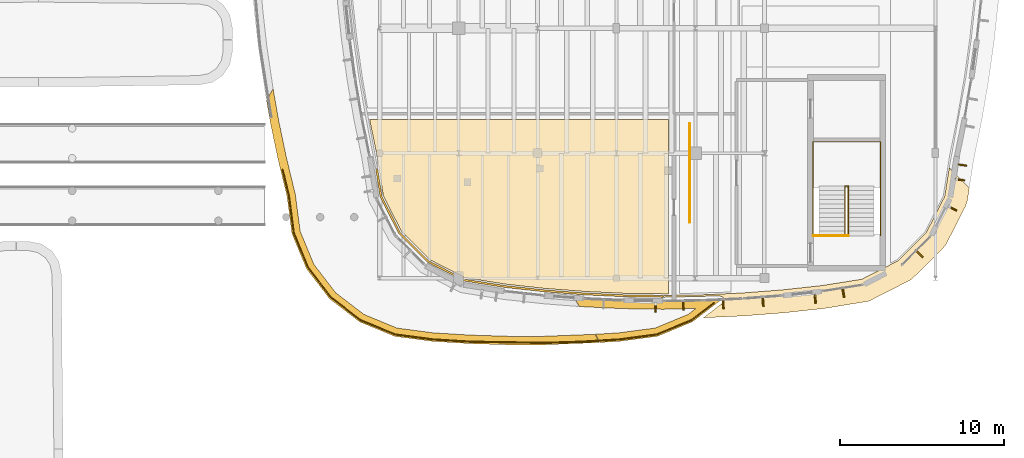
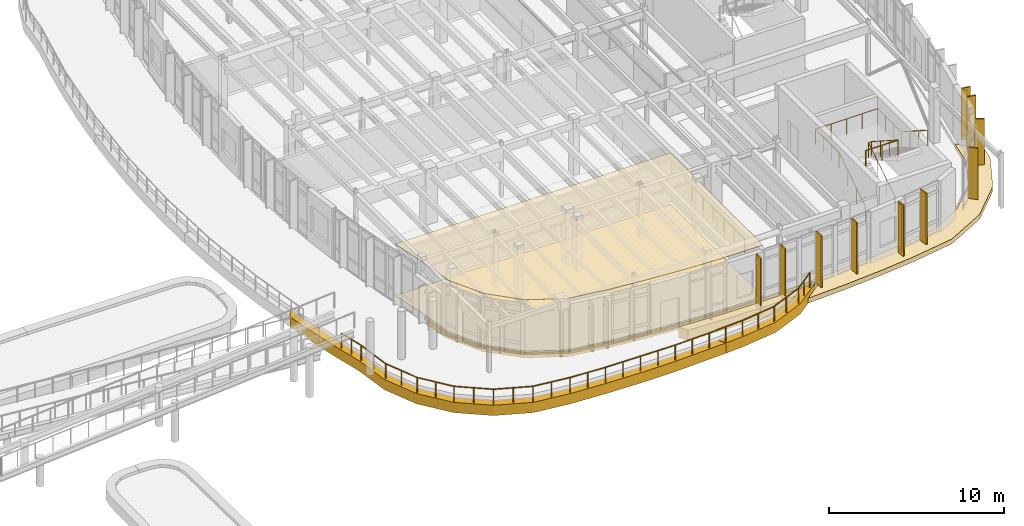
# One storey, part 108 of 111: 16 coverings, 6 railings, 5 shading devices.
"""IFC4 building model written with IfcOpenShell, lengths in metres."""

from ifc_helpers import new_model, si_unit, direction, frame, origin, origin_2d, place, context, subcontext, project, spatial, polyline, rectangle, circle, outline, extrude, material, layer, layer_set, type_object, element, save


model = new_model("IFC4")

# Units and contexts
model_context = context("Model", 3, precision=1e-05, world=origin(), true_north=direction((0.0, 1.0)))
body_context = subcontext(model_context, "Body", "Model", "MODEL_VIEW")
ifc_project = project(units=[si_unit("LENGTHUNIT", "METRE"), si_unit("AREAUNIT", "SQUARE_METRE"), si_unit("VOLUMEUNIT", "CUBIC_METRE"), si_unit("PLANEANGLEUNIT", "RADIAN"), si_unit("MASSUNIT", "GRAM", prefix="KILO")], contexts=[model_context])

# Site, building, storey
site_placement = place(None, origin())
site = spatial("IfcSite", under=ifc_project, at=site_placement, CompositionType="ELEMENT")
building_placement = place(site_placement, origin())
building = spatial("IfcBuilding", under=site, at=building_placement, Name="Corveleigh Park Community Centre", CompositionType="ELEMENT")
storey_placement = place(building_placement, frame((0.0, 0.0, 4.800048828125)))
storey = spatial("IfcBuildingStorey", under=building, at=storey_placement, Name="L01", CompositionType="ELEMENT", Elevation=4.800048828125)

# Coverings
ifc_material_1 = material(Name="Warm buff ribbed architectural cladding", Category="masonry")
ifc_layer_1 = layer(ifc_material_1, 0.0849609375, Name="Warm buff ribbed architectural cladding", Category="masonry")
ifc_layer_set_1 = layer_set([ifc_layer_1], Name="Warm buff ribbed architectural cladding")
covering_type_1 = type_object("IfcCoveringType", Name="COV-CLD-BUF", PredefinedType="CLADDING", material=ifc_layer_set_1)
covering_1_placement = place(storey_placement, origin())
element("IfcCovering", 1, at=covering_1_placement, inside=storey, type_object=covering_type_1, Name="V4 L01 Brise-soleil blade 244", PredefinedType="CLADDING", context=body_context, shape_type="SweptSolid", body=[
    extrude(outline(polyline([(151.430908203125, 57.074951171875), (151.345947265625, 57.076904296875), (151.337890625, 56.5419921875), (151.423095703125, 56.5400390625), (151.430908203125, 57.074951171875)])), origin(), (0.0, 0.0, 1.0), 3.636962890625),
])
covering_2_placement = place(storey_placement, origin())
element("IfcCovering", 2, at=covering_2_placement, inside=storey, type_object=covering_type_1, Name="V4 L01 Brise-soleil blade 245", PredefinedType="CLADDING", context=body_context, shape_type="SweptSolid", body=[
    extrude(outline(polyline([(153.10107421875, 57.242919921875), (153.01611328125, 57.241943359375), (153.02490234375, 56.662109375), (153.110107421875, 56.6630859375), (153.10107421875, 57.242919921875)])), origin(), (0.0, 0.0, 1.0), 3.636962890625),
])
covering_3_placement = place(storey_placement, origin())
element("IfcCovering", 3, at=covering_3_placement, inside=storey, type_object=covering_type_1, Name="V4 L01 Brise-soleil blade 246", PredefinedType="CLADDING", context=body_context, shape_type="SweptSolid", body=[
    extrude(outline(polyline([(155.51806640625, 57.319091796875), (155.43310546875, 57.31494140625), (155.4599609375, 56.736083984375), (155.544921875, 56.739990234375), (155.51806640625, 57.319091796875)])), origin(), (0.0, 0.0, 1.0), 3.636962890625),
])
covering_4_placement = place(storey_placement, origin())
element("IfcCovering", 4, at=covering_4_placement, inside=storey, type_object=covering_type_1, Name="V4 L01 Brise-soleil blade 247", PredefinedType="CLADDING", context=body_context, shape_type="SweptSolid", body=[
    extrude(outline(polyline([(157.930908203125, 57.468994140625), (157.845947265625, 57.462890625), (157.89111328125, 56.884033203125), (157.97509765625, 56.89111328125), (157.930908203125, 57.468994140625)])), origin(), (0.0, 0.0, 1.0), 3.612060546875),
])
covering_5_placement = place(storey_placement, origin())
element("IfcCovering", 5, at=covering_5_placement, inside=storey, type_object=covering_type_1, Name="V4 L01 Brise-soleil blade 248", PredefinedType="CLADDING", context=body_context, shape_type="SweptSolid", body=[
    extrude(outline(polyline([(161.10009765625, 57.611083984375), (161.014892578125, 57.60205078125), (161.072998046875, 57.070068359375), (161.156982421875, 57.0791015625), (161.10009765625, 57.611083984375)])), origin(), (0.0, 0.0, 1.0), 3.612060546875),
])
covering_6_placement = place(storey_placement, origin())
element("IfcCovering", 6, at=covering_6_placement, inside=storey, type_object=covering_type_1, Name="V4 L01 Brise-soleil blade 249", PredefinedType="CLADDING", context=body_context, shape_type="SweptSolid", body=[
    extrude(outline(polyline([(162.7919921875, 58.02490234375), (162.7080078125, 58.011962890625), (162.799072265625, 57.43896484375), (162.883056640625, 57.451904296875), (162.7919921875, 58.02490234375)])), origin(), (0.0, 0.0, 1.0), 3.612060546875),
])
covering_7_placement = place(storey_placement, origin())
element("IfcCovering", 7, at=covering_7_placement, inside=storey, type_object=covering_type_1, Name="V4 L01 Brise-soleil blade 250", PredefinedType="CLADDING", context=body_context, shape_type="SweptSolid", body=[
    extrude(outline(polyline([(167.242919921875, 60.31689453125), (167.18310546875, 60.257080078125), (167.593017578125, 59.846923828125), (167.653076171875, 59.906982421875), (167.242919921875, 60.31689453125)])), origin(), (0.0, 0.0, 1.0), 3.612060546875),
])
covering_8_placement = place(storey_placement, origin())
element("IfcCovering", 8, at=covering_8_placement, inside=storey, type_object=covering_type_1, Name="V4 L01 Brise-soleil blade 251", PredefinedType="CLADDING", context=body_context, shape_type="SweptSolid", body=[
    extrude(outline(polyline([(169.22607421875, 63.0029296875), (169.18701171875, 62.927001953125), (169.6640625, 62.68408203125), (169.702880859375, 62.760009765625), (169.22607421875, 63.0029296875)])), origin(), (0.0, 0.0, 1.0), 3.241943359375),
])
covering_9_placement = place(storey_placement, origin())
element("IfcCovering", 9, at=covering_9_placement, inside=storey, type_object=covering_type_1, Name="V4 L01 Brise-soleil blade 252", PredefinedType="CLADDING", context=body_context, shape_type="SweptSolid", body=[
    extrude(outline(polyline([(169.787109375, 65.56298828125), (169.77392578125, 65.47900390625), (170.302978515625, 65.39599609375), (170.31591796875, 65.47998046875), (169.787109375, 65.56298828125)])), origin(), (0.0, 0.0, 1.0), 3.612060546875),
])
covering_10_placement = place(storey_placement, origin())
element("IfcCovering", 10, at=covering_10_placement, inside=storey, type_object=covering_type_1, Name="V4 L01 Brise-soleil blade 253", PredefinedType="CLADDING", context=body_context, shape_type="SweptSolid", body=[
    extrude(outline(polyline([(169.64697265625, 64.674072265625), (169.634033203125, 64.590087890625), (170.162109375, 64.507080078125), (170.175048828125, 64.591064453125), (169.64697265625, 64.674072265625)])), origin(), (0.0, 0.0, 1.0), 3.612060546875),
])
ifc_material_2 = material(Name="White architectural fascia cladding", Category="masonry")
ifc_layer_2 = layer(ifc_material_2, 0.074951171875, Name="White architectural fascia cladding", Category="masonry")
ifc_layer_set_2 = layer_set([ifc_layer_2], Name="White architectural fascia cladding")
covering_type_2 = type_object("IfcCoveringType", Name="COV-CLD-WHT", PredefinedType="CLADDING", material=ifc_layer_set_2)
covering_11_placement = place(storey_placement, frame((0.0, 0.0, -0.679931640625)))
element("IfcCovering", 11, at=covering_11_placement, inside=storey, type_object=covering_type_2, Name="Step 1 Learning Garden Terrace Sweeping White Edge Band 7", PredefinedType="CLADDING", context=body_context, shape_type="SweptSolid", body=[
    extrude(outline(polyline([(147.97900390625, 54.68505859375), (144.64111328125, 54.549072265625), (142.35791015625, 54.549072265625), (140.076904296875, 54.6201171875), (137.794921875, 54.760009765625), (135.51708984375, 55.06005859375), (133.385009765625, 55.94189453125), (131.552978515625, 57.344970703125), (130.14697265625, 59.176025390625), (129.262939453125, 61.306884765625), (128.9609375, 63.593017578125), (128.4169921875, 65.839111328125), (127.945068359375, 68.10302734375), (127.714111328125, 69.416015625), (128.118896484375, 70.117919921875), (128.455078125, 68.201904296875), (128.924072265625, 65.951904296875), (129.467041015625, 63.712890625), (129.76806640625, 61.447021484375), (130.597900390625, 59.44189453125), (131.9189453125, 57.718994140625), (133.64208984375, 56.39794921875), (135.64697265625, 55.568115234375), (137.845947265625, 55.278076171875), (140.10009765625, 55.139892578125), (142.365966796875, 55.069091796875), (144.634033203125, 55.069091796875), (147.68896484375, 55.18798828125), (147.97900390625, 54.68505859375)])), origin(), (0.0, 0.0, 1.0), 0.719970703125),
])
covering_12_placement = place(storey_placement, frame((0.0, 0.0, -0.679931640625)))
element("IfcCovering", 12, at=covering_12_placement, inside=storey, type_object=covering_type_2, Name="Step 1 Learning Garden Terrace Sweeping White Edge Band 9", PredefinedType="CLADDING", context=body_context, shape_type="SweptSolid", body=[
    extrude(outline(polyline([(151.492919921875, 55.06298828125), (149.205078125, 54.760009765625), (148.011962890625, 54.68701171875), (147.720947265625, 55.18994140625), (149.154052734375, 55.278076171875), (151.35302734375, 55.568115234375), (153.35791015625, 56.39794921875), (153.825927734375, 56.757080078125), (151.843017578125, 56.708984375), (149.424072265625, 56.74609375), (146.7451171875, 56.876953125), (146.429931640625, 57.423095703125), (149.431884765625, 57.26611328125), (151.85009765625, 57.22900390625), (155.323974609375, 57.2900390625), (155.31201171875, 57.240966796875), (153.6240234375, 55.947021484375), (151.492919921875, 55.06298828125)])), origin(), (0.0, 0.0, 1.0), 0.719970703125),
])
covering_13_placement = place(storey_placement, frame((0.0, 0.0, -0.300048828125)))
element("IfcCovering", 13, at=covering_13_placement, inside=storey, type_object=covering_type_2, Name="V4 L01 Horizontal Sun-Hood 6", PredefinedType="CLADDING", context=body_context, shape_type="SweptSolid", body=[
    extrude(outline(polyline([(149.43896484375, 57.47607421875), (147.030029296875, 57.587890625), (144.6259765625, 57.77294921875), (142.23095703125, 58.032958984375), (139.741943359375, 58.427001953125), (137.52099609375, 59.55810546875), (135.759033203125, 61.320068359375), (134.6279296875, 63.5400390625), (134.364990234375, 65.197021484375), (134.465087890625, 65.298095703125), (134.738037109375, 63.574951171875), (135.85302734375, 61.387939453125), (137.587890625, 59.653076171875), (139.77490234375, 58.5380859375), (142.24609375, 58.14697265625), (144.635986328125, 57.887939453125), (147.0380859375, 57.701904296875), (149.443115234375, 57.591064453125), (151.8369140625, 57.553955078125), (151.8369140625, 57.43896484375), (149.43896484375, 57.47607421875)])), origin(), (0.0, 0.0, 1.0), 0.340087890625),
])
covering_14_placement = place(storey_placement, frame((0.0, 0.0, -0.300048828125)))
element("IfcCovering", 14, at=covering_14_placement, inside=storey, type_object=covering_type_2, Name="V4 L01 Horizontal Sun-Hood 7", PredefinedType="CLADDING", context=body_context, shape_type="SweptSolid", body=[
    extrude(outline(polyline([(170.3359375, 63.302001953125), (170.235107421875, 62.989013671875), (169.070068359375, 60.702880859375), (168.8759765625, 60.43798828125), (166.93701171875, 58.51708984375), (164.35791015625, 57.201904296875), (161.6640625, 56.762939453125), (159.208984375, 56.4951171875), (156.764892578125, 56.305908203125), (154.2880859375, 56.19091796875), (155.47509765625, 57.10693359375), (155.5380859375, 57.284912109375), (155.4580078125, 57.4560546875), (155.281982421875, 57.52294921875), (151.863037109375, 57.43896484375), (151.863037109375, 57.553955078125), (154.257080078125, 57.591064453125), (156.662109375, 57.701904296875), (159.06396484375, 57.887939453125), (161.4541015625, 58.14697265625), (163.925048828125, 58.5380859375), (166.112060546875, 59.653076171875), (167.846923828125, 61.387939453125), (168.9619140625, 63.574951171875), (169.235107421875, 65.298095703125), (170.4580078125, 64.072998046875), (170.3359375, 63.302001953125)])), origin(), (0.0, 0.0, 1.0), 0.340087890625),
])
ifc_material_3 = material(Name="Perforated acoustic suspended ceiling", Category="gypsum")
ifc_layer_3 = layer(ifc_material_3, 0.0400390625, Name="Perforated acoustic suspended ceiling", Category="gypsum")
ifc_layer_set_3 = layer_set([ifc_layer_3], Name="Perforated acoustic suspended ceiling")
covering_type_3 = type_object("IfcCoveringType", Name="COV-CLG-ACU", PredefinedType="CEILING", material=ifc_layer_set_3)
covering_15_placement = place(storey_placement, frame((0.0, 0.0, 3.579833984375)))
element("IfcCovering", 15, at=covering_15_placement, inside=storey, type_object=covering_type_3, Name="Adult Learning Classroom 1 acoustic ceiling", PredefinedType="CEILING", context=body_context, shape_type="SweptSolid", body=[
    extrude(outline(polyline([(134.43408203125, 66.073974609375), (133.988037109375, 68.260009765625), (152.159912109375, 68.260009765625), (152.159912109375, 57.64892578125), (149.446044921875, 57.680908203125), (147.04296875, 57.7919921875), (144.64501953125, 57.97705078125), (142.258056640625, 58.236083984375), (139.803955078125, 58.625), (137.64208984375, 59.72607421875), (135.926025390625, 61.44189453125), (134.824951171875, 63.60400390625), (134.43408203125, 66.073974609375)])), origin(), (0.0, 0.0, 1.0), 0.0400390625),
])
ifc_material_4 = material(Name="Acoustic linoleum flooring", Category="wood")
ifc_layer_4 = layer(ifc_material_4, 0.02490234375, Name="Acoustic linoleum flooring", Category="wood")
ifc_layer_set_4 = layer_set([ifc_layer_4], Name="Acoustic linoleum flooring")
covering_type_4 = type_object("IfcCoveringType", Name="COV-FLR-LIN", PredefinedType="FLOORING", material=ifc_layer_set_4)
covering_16_placement = place(storey_placement, origin())
element("IfcCovering", 16, at=covering_16_placement, inside=storey, type_object=covering_type_4, Name="Adult Learning Classroom 1 flooring", PredefinedType="FLOORING", context=body_context, shape_type="SweptSolid", body=[
    extrude(outline(polyline([(134.43408203125, 66.073974609375), (133.988037109375, 68.260009765625), (152.159912109375, 68.260009765625), (152.159912109375, 57.64892578125), (149.446044921875, 57.680908203125), (147.04296875, 57.7919921875), (144.64501953125, 57.97705078125), (142.258056640625, 58.236083984375), (139.803955078125, 58.625), (137.64208984375, 59.72607421875), (135.926025390625, 61.44189453125), (134.824951171875, 63.60400390625), (134.43408203125, 66.073974609375)])), origin(), (0.0, 0.0, 1.0), 0.02490234375),
])

# Railings
ifc_material_5 = material(Name="Stainless steel 316 balustrade", Category="steel")
railing_type_1 = type_object("IfcRailingType", Name="RLG-BAL-EXT-1100", PredefinedType="BALUSTRADE", material=ifc_material_5)
railing_1_placement = place(storey_placement, frame((153.56005859375, 56.049072265625, 0.0)))
element("IfcRailing", 17, at=railing_1_placement, inside=storey, type_object=railing_type_1, Name="Step 1 Learning Garden Terrace guard 1", PredefinedType="BALUSTRADE", context=body_context, shape_type="SweptSolid", body=[
    extrude(circle(Radius=0.02392578125, at=origin_2d()), frame((0.0, 0.0, 1.076171875), z_axis=(-0.923880883447, -0.382680170901, 0.0), x_axis=(0.382680170901, -0.923880883447, 0.0)), (0.0, 0.0, 1.0), 2.2763671875),
    extrude(circle(Radius=0.02392578125, at=origin_2d()), frame((-2.10302734375, -0.87109375, 1.076171875), z_axis=(-0.991451385549, -0.130476626617, 0.0), x_axis=(0.130476626617, -0.991451385549, 0.0)), (0.0, 0.0, 1.0), 2.28466796875),
    extrude(circle(Radius=0.02392578125, at=origin_2d()), frame((-4.3681640625, -1.169189453125, 1.076171875), z_axis=(-0.998112981562, -0.061404202108, 0.0), x_axis=(0.061404202108, -0.998112981562, 0.0)), (0.0, 0.0, 1.0), 2.2783203125),
    extrude(circle(Radius=0.02392578125, at=origin_2d()), frame((-6.64208984375, -1.30908203125, 1.076171875), z_axis=(-0.999514059661, -0.031171213306, 0.0), x_axis=(0.031171213306, -0.999514059661, 0.0)), (0.0, 0.0, 1.0), 2.279296875),
    extrude(circle(Radius=0.02392578125, at=origin_2d()), frame((-8.920166015625, -1.380126953125, 1.076171875), z_axis=(-0.999878539591, 0.015585444053, 0.0), x_axis=(-0.015585444053, -0.999878539591, 0.0)), (0.0, 0.0, 1.0), 4.558349609375),
    extrude(circle(Radius=0.02392578125, at=origin_2d()), frame((-13.47802734375, -1.30908203125, 1.076171875), z_axis=(-0.998112981562, 0.061404202108, 0.0), x_axis=(-0.061404202108, -0.998112981562, 0.0)), (0.0, 0.0, 1.0), 2.2783203125),
    extrude(circle(Radius=0.02392578125, at=origin_2d()), frame((-15.751953125, -1.169189453125, 1.076171875), z_axis=(-0.991451385549, 0.130476626617, 0.0), x_axis=(-0.130476626617, -0.991451385549, 0.0)), (0.0, 0.0, 1.0), 2.28466796875),
    extrude(circle(Radius=0.02392578125, at=origin_2d()), frame((-18.01708984375, -0.87109375, 1.076171875), z_axis=(-0.923880883447, 0.382680170901, 0.0), x_axis=(-0.382680170901, -0.923880883447, 0.0)), (0.0, 0.0, 1.0), 2.2763671875),
    extrude(circle(Radius=0.02392578125, at=origin_2d()), frame((-20.1201171875, 0.0, 1.076171875), z_axis=(-0.793504481323, 0.608564407536, 0.0), x_axis=(-0.608564407536, -0.793504481323, 0.0)), (0.0, 0.0, 1.0), 2.27587890625),
    extrude(circle(Radius=0.02392578125, at=origin_2d()), frame((-21.926025390625, 1.385009765625, 1.076171875), z_axis=(-0.608564407536, 0.793504481323, 0.0), x_axis=(-0.793504481323, -0.608564407536, 0.0)), (0.0, 0.0, 1.0), 2.27587890625),
    extrude(circle(Radius=0.02392578125, at=origin_2d()), frame((-23.31103515625, 3.19091796875, 1.076171875), z_axis=(-0.382680170901, 0.923880883447, 0.0), x_axis=(-0.923880883447, -0.382680170901, 0.0)), (0.0, 0.0, 1.0), 2.2763671875),
    extrude(circle(Radius=0.02392578125, at=origin_2d()), frame((-24.18212890625, 5.2939453125, 1.076171875), z_axis=(-0.130680977045, 0.991424471273, 0.0), x_axis=(-0.991424471273, -0.130680977045, 0.0)), (0.0, 0.0, 1.0), 2.28662109375),
    extrude(circle(Radius=0.02392578125, at=origin_2d()), frame((-24.48095703125, 7.56103515625, 1.076171875), z_axis=(-0.234801036625, 0.972043452321, 0.0), x_axis=(-0.972043452321, -0.234801036625, 0.0)), (0.0, 0.0, 1.0), 1.635498046875),
    extrude(circle(Radius=0.02099609375, at=origin_2d()), origin(), (0.0, 0.0, 1.0), 1.052001953125),
    extrude(circle(Radius=0.02099609375, at=origin_2d()), frame((-1.051513671875, -0.435546875, 0.0)), (0.0, 0.0, 1.0), 1.052001953125),
    extrude(circle(Radius=0.02099609375, at=origin_2d()), frame((-2.10302734375, -0.87109375, 0.0)), (0.0, 0.0, 1.0), 1.052001953125),
    extrude(circle(Radius=0.02099609375, at=origin_2d()), frame((-3.235595703125, -1.02001953125, 0.0)), (0.0, 0.0, 1.0), 1.052001953125),
    extrude(circle(Radius=0.02099609375, at=origin_2d()), frame((-4.3681640625, -1.169189453125, 0.0)), (0.0, 0.0, 1.0), 1.052001953125),
    extrude(circle(Radius=0.02099609375, at=origin_2d()), frame((-5.505126953125, -1.2392578125, 0.0)), (0.0, 0.0, 1.0), 1.052001953125),
    extrude(circle(Radius=0.02099609375, at=origin_2d()), frame((-6.64208984375, -1.30908203125, 0.0)), (0.0, 0.0, 1.0), 1.052001953125),
    extrude(circle(Radius=0.02099609375, at=origin_2d()), frame((-7.78125, -1.3447265625, 0.0)), (0.0, 0.0, 1.0), 1.052001953125),
    extrude(circle(Radius=0.02099609375, at=origin_2d()), frame((-8.920166015625, -1.380126953125, 0.0)), (0.0, 0.0, 1.0), 1.052001953125),
    extrude(circle(Radius=0.02099609375, at=origin_2d()), frame((-10.0595703125, -1.3623046875, 0.0)), (0.0, 0.0, 1.0), 1.052001953125),
    extrude(circle(Radius=0.02099609375, at=origin_2d()), frame((-11.19921875, -1.3447265625, 0.0)), (0.0, 0.0, 1.0), 1.052001953125),
    extrude(circle(Radius=0.02099609375, at=origin_2d()), frame((-12.338623046875, -1.326904296875, 0.0)), (0.0, 0.0, 1.0), 1.052001953125),
    extrude(circle(Radius=0.02099609375, at=origin_2d()), frame((-13.47802734375, -1.30908203125, 0.0)), (0.0, 0.0, 1.0), 1.052001953125),
    extrude(circle(Radius=0.02099609375, at=origin_2d()), frame((-14.614990234375, -1.2392578125, 0.0)), (0.0, 0.0, 1.0), 1.052001953125),
    extrude(circle(Radius=0.02099609375, at=origin_2d()), frame((-15.751953125, -1.169189453125, 0.0)), (0.0, 0.0, 1.0), 1.052001953125),
    extrude(circle(Radius=0.02099609375, at=origin_2d()), frame((-16.884521484375, -1.02001953125, 0.0)), (0.0, 0.0, 1.0), 1.052001953125),
    extrude(circle(Radius=0.02099609375, at=origin_2d()), frame((-18.01708984375, -0.87109375, 0.0)), (0.0, 0.0, 1.0), 1.052001953125),
    extrude(circle(Radius=0.02099609375, at=origin_2d()), frame((-19.068603515625, -0.435546875, 0.0)), (0.0, 0.0, 1.0), 1.052001953125),
    extrude(circle(Radius=0.02099609375, at=origin_2d()), frame((-20.1201171875, 0.0, 0.0)), (0.0, 0.0, 1.0), 1.052001953125),
    extrude(circle(Radius=0.02099609375, at=origin_2d()), frame((-21.02294921875, 0.6923828125, 0.0)), (0.0, 0.0, 1.0), 1.052001953125),
    extrude(circle(Radius=0.02099609375, at=origin_2d()), frame((-21.926025390625, 1.385009765625, 0.0)), (0.0, 0.0, 1.0), 1.052001953125),
    extrude(circle(Radius=0.02099609375, at=origin_2d()), frame((-22.61865234375, 2.2880859375, 0.0)), (0.0, 0.0, 1.0), 1.052001953125),
    extrude(circle(Radius=0.02099609375, at=origin_2d()), frame((-23.31103515625, 3.19091796875, 0.0)), (0.0, 0.0, 1.0), 1.052001953125),
    extrude(circle(Radius=0.02099609375, at=origin_2d()), frame((-23.74658203125, 4.242431640625, 0.0)), (0.0, 0.0, 1.0), 1.052001953125),
    extrude(circle(Radius=0.02099609375, at=origin_2d()), frame((-24.18212890625, 5.2939453125, 0.0)), (0.0, 0.0, 1.0), 1.052001953125),
    extrude(circle(Radius=0.02099609375, at=origin_2d()), frame((-24.33154296875, 6.427490234375, 0.0)), (0.0, 0.0, 1.0), 1.052001953125),
    extrude(circle(Radius=0.02099609375, at=origin_2d()), frame((-24.48095703125, 7.56103515625, 0.0)), (0.0, 0.0, 1.0), 1.052001953125),
    extrude(circle(Radius=0.02099609375, at=origin_2d()), frame((-24.6728515625, 8.35595703125, 0.0)), (0.0, 0.0, 1.0), 1.052001953125),
    extrude(circle(Radius=0.02099609375, at=origin_2d()), frame((-24.864990234375, 9.15087890625, 0.0)), (0.0, 0.0, 1.0), 1.052001953125),
])
railing_2_placement = place(storey_placement, frame((154.9189453125, 57.091064453125, 0.0)))
element("IfcRailing", 18, at=railing_2_placement, inside=storey, type_object=railing_type_1, Name="Step 1 Learning Garden Terrace guard 3", PredefinedType="BALUSTRADE", context=body_context, shape_type="SweptSolid", body=[
    extrude(circle(Radius=0.02392578125, at=origin_2d()), frame((0.0, 0.0, 1.076171875), z_axis=(-0.793555874695, -0.608497390082, 0.0), x_axis=(0.608497390082, -0.793555874695, 0.0)), (0.0, 0.0, 1.0), 1.71240234375),
    extrude(circle(Radius=0.02099609375, at=origin_2d()), origin(), (0.0, 0.0, 1.0), 1.052001953125),
    extrude(circle(Radius=0.02099609375, at=origin_2d()), frame((-0.679443359375, -0.52099609375, 0.0)), (0.0, 0.0, 1.0), 1.052001953125),
    extrude(circle(Radius=0.02099609375, at=origin_2d()), frame((-1.35888671875, -1.0419921875, 0.0)), (0.0, 0.0, 1.0), 1.052001953125),
])
railing_type_2 = type_object("IfcRailingType", Name="RLG-BAL-INT-1100", PredefinedType="BALUSTRADE", material=ifc_material_5)
railing_3_placement = place(storey_placement, frame((162.89990234375, 61.179931640625, 0.0)))
element("IfcRailing", 19, at=railing_3_placement, inside=storey, type_object=railing_type_2, Name="Stair ST1 inner guard L01", PredefinedType="BALUSTRADE", context=body_context, shape_type="SweptSolid", body=[
    extrude(circle(Radius=0.02392578125, at=origin_2d()), frame((0.0, 0.0, 1.076171875), z_axis=(0.0, 0.84051886652, 0.541782276402), x_axis=(-1.0, 0.0, 0.0)), (0.0, 0.0, 1.0), 3.59912109375),
    extrude(circle(Radius=0.02392578125, at=origin_2d()), frame((0.0, 3.025146484375, 3.02587890625), z_axis=(1.0, 0.0, 0.0), x_axis=(0.0, 1.0, 0.0)), (0.0, 0.0, 1.0), 0.2001953125),
    extrude(circle(Radius=0.02392578125, at=origin_2d()), frame((0.2001953125, 3.025146484375, 3.02587890625), z_axis=(0.0, -0.84051886652, 0.541782276402), x_axis=(1.0, 0.0, 0.0)), (0.0, 0.0, 1.0), 3.59912109375),
    extrude(circle(Radius=0.02099609375, at=origin_2d()), origin(), (0.0, 0.0, 1.0), 1.052001953125),
    extrude(circle(Radius=0.02099609375, at=origin_2d()), frame((0.0, 1.00830078125, 0.64990234375)), (0.0, 0.0, 1.0), 1.052001953125),
    extrude(circle(Radius=0.02099609375, at=origin_2d()), frame((0.0, 2.016845703125, 1.300048828125)), (0.0, 0.0, 1.0), 1.052001953125),
    extrude(circle(Radius=0.02099609375, at=origin_2d()), frame((0.0, 3.025146484375, 1.949951171875)), (0.0, 0.0, 1.0), 1.052001953125),
    extrude(circle(Radius=0.02099609375, at=origin_2d()), frame((0.2001953125, 3.025146484375, 1.949951171875)), (0.0, 0.0, 1.0), 1.052001953125),
    extrude(circle(Radius=0.02099609375, at=origin_2d()), frame((0.2001953125, 2.016845703125, 2.599853515625)), (0.0, 0.0, 1.0), 1.052001953125),
    extrude(circle(Radius=0.02099609375, at=origin_2d()), frame((0.2001953125, 1.00830078125, 3.25)), (0.0, 0.0, 1.0), 1.052001953125),
    extrude(circle(Radius=0.02099609375, at=origin_2d()), frame((0.2001953125, 0.0, 3.89990234375)), (0.0, 0.0, 1.0), 1.052001953125),
])
railing_4_placement = place(storey_placement, frame((160.967041015625, 61.179931640625, 3.89990234375)))
element("IfcRailing", 20, at=railing_4_placement, inside=storey, type_object=railing_type_2, Name="Stair ST1 landing guard L01", PredefinedType="BALUSTRADE", context=body_context, shape_type="SweptSolid", body=[
    extrude(circle(Radius=0.02392578125, at=origin_2d()), frame((0.0, 0.0, 1.076171875), z_axis=(1.0, 0.0, 0.0), x_axis=(0.0, 1.0, 0.0)), (0.0, 0.0, 1.0), 2.133056640625),
    extrude(circle(Radius=0.02099609375, at=origin_2d()), origin(), (0.0, 0.0, 1.0), 1.052001953125),
    extrude(circle(Radius=0.02099609375, at=origin_2d()), frame((1.06640625, 0.0, 0.0)), (0.0, 0.0, 1.0), 1.052001953125),
    extrude(circle(Radius=0.02099609375, at=origin_2d()), frame((2.133056640625, 0.0, 0.0)), (0.0, 0.0, 1.0), 1.052001953125),
])
railing_5_placement = place(storey_placement, frame((160.947021484375, 61.179931640625, 0.0)))
element("IfcRailing", 21, at=railing_5_placement, inside=storey, type_object=railing_type_2, Name="Stair ST1 perimeter guard L01", PredefinedType="BALUSTRADE", context=body_context, shape_type="SweptSolid", body=[
    extrude(circle(Radius=0.02392578125, at=origin_2d()), frame((0.0, 0.0, 1.076171875), z_axis=(0.0, 0.84051886652, 0.541782276402), x_axis=(-1.0, 0.0, 0.0)), (0.0, 0.0, 1.0), 3.59912109375),
    extrude(circle(Radius=0.02392578125, at=origin_2d()), frame((0.0, 3.025146484375, 3.02587890625), z_axis=(0.0, 1.0, 0.0), x_axis=(-1.0, 0.0, 0.0)), (0.0, 0.0, 1.0), 2.68798828125),
    extrude(circle(Radius=0.02392578125, at=origin_2d()), frame((0.0, 5.713134765625, 3.02587890625), z_axis=(1.0, 0.0, 0.0), x_axis=(0.0, 1.0, 0.0)), (0.0, 0.0, 1.0), 4.10595703125),
    extrude(circle(Radius=0.02392578125, at=origin_2d()), frame((4.10595703125, 5.713134765625, 3.02587890625), z_axis=(0.0, -1.0, 0.0), x_axis=(1.0, 0.0, 0.0)), (0.0, 0.0, 1.0), 2.68798828125),
    extrude(circle(Radius=0.02392578125, at=origin_2d()), frame((4.10595703125, 3.025146484375, 3.02587890625), z_axis=(0.0, -0.84051886652, 0.541782276402), x_axis=(1.0, 0.0, 0.0)), (0.0, 0.0, 1.0), 3.59912109375),
    extrude(circle(Radius=0.02099609375, at=origin_2d()), origin(), (0.0, 0.0, 1.0), 1.052001953125),
    extrude(circle(Radius=0.02099609375, at=origin_2d()), frame((0.0, 1.00830078125, 0.64990234375)), (0.0, 0.0, 1.0), 1.052001953125),
    extrude(circle(Radius=0.02099609375, at=origin_2d()), frame((0.0, 2.016845703125, 1.300048828125)), (0.0, 0.0, 1.0), 1.052001953125),
    extrude(circle(Radius=0.02099609375, at=origin_2d()), frame((0.0, 3.025146484375, 1.949951171875)), (0.0, 0.0, 1.0), 1.052001953125),
    extrude(circle(Radius=0.02099609375, at=origin_2d()), frame((0.0, 3.921142578125, 1.949951171875)), (0.0, 0.0, 1.0), 1.052001953125),
    extrude(circle(Radius=0.02099609375, at=origin_2d()), frame((0.0, 4.817138671875, 1.949951171875)), (0.0, 0.0, 1.0), 1.052001953125),
    extrude(circle(Radius=0.02099609375, at=origin_2d()), frame((0.0, 5.713134765625, 1.949951171875)), (0.0, 0.0, 1.0), 1.052001953125),
    extrude(circle(Radius=0.02099609375, at=origin_2d()), frame((1.0263671875, 5.713134765625, 1.949951171875)), (0.0, 0.0, 1.0), 1.052001953125),
    extrude(circle(Radius=0.02099609375, at=origin_2d()), frame((2.052978515625, 5.713134765625, 1.949951171875)), (0.0, 0.0, 1.0), 1.052001953125),
    extrude(circle(Radius=0.02099609375, at=origin_2d()), frame((3.07958984375, 5.713134765625, 1.949951171875)), (0.0, 0.0, 1.0), 1.052001953125),
    extrude(circle(Radius=0.02099609375, at=origin_2d()), frame((4.10595703125, 5.713134765625, 1.949951171875)), (0.0, 0.0, 1.0), 1.052001953125),
    extrude(circle(Radius=0.02099609375, at=origin_2d()), frame((4.10595703125, 4.817138671875, 1.949951171875)), (0.0, 0.0, 1.0), 1.052001953125),
    extrude(circle(Radius=0.02099609375, at=origin_2d()), frame((4.10595703125, 3.921142578125, 1.949951171875)), (0.0, 0.0, 1.0), 1.052001953125),
    extrude(circle(Radius=0.02099609375, at=origin_2d()), frame((4.10595703125, 3.025146484375, 1.949951171875)), (0.0, 0.0, 1.0), 1.052001953125),
    extrude(circle(Radius=0.02099609375, at=origin_2d()), frame((4.10595703125, 2.016845703125, 2.599853515625)), (0.0, 0.0, 1.0), 1.052001953125),
    extrude(circle(Radius=0.02099609375, at=origin_2d()), frame((4.10595703125, 1.00830078125, 3.25)), (0.0, 0.0, 1.0), 1.052001953125),
    extrude(circle(Radius=0.02099609375, at=origin_2d()), frame((4.10595703125, 0.0, 3.89990234375)), (0.0, 0.0, 1.0), 1.052001953125),
])
ifc_material_6 = material(Name="Powder-coated aluminium handrail", Category="aluminium")
railing_type_3 = type_object("IfcRailingType", Name="RLG-HND-INT-950", PredefinedType="HANDRAIL", material=ifc_material_6)
railing_6_placement = place(storey_placement, frame((153.449951171875, 62.0, 0.0)))
element("IfcRailing", 22, at=railing_6_placement, inside=storey, type_object=railing_type_3, Name="Accessible corridor wall handrail L01", PredefinedType="HANDRAIL", context=body_context, shape_type="SweptSolid", body=[
    extrude(circle(Radius=0.02392578125, at=origin_2d()), frame((0.0, 0.0, 0.92578125), z_axis=(0.0, 1.0, 0.0), x_axis=(-1.0, 0.0, 0.0)), (0.0, 0.0, 1.0), 6.0),
    extrude(circle(Radius=0.02099609375, at=origin_2d()), origin(), (0.0, 0.0, 1.0), 0.90185546875),
    extrude(circle(Radius=0.02099609375, at=origin_2d()), frame((0.0, 1.199951171875, 0.0)), (0.0, 0.0, 1.0), 0.90185546875),
    extrude(circle(Radius=0.02099609375, at=origin_2d()), frame((0.0, 2.39990234375, 0.0)), (0.0, 0.0, 1.0), 0.90185546875),
    extrude(circle(Radius=0.02099609375, at=origin_2d()), frame((0.0, 3.60009765625, 0.0)), (0.0, 0.0, 1.0), 0.90185546875),
    extrude(circle(Radius=0.02099609375, at=origin_2d()), frame((0.0, 4.800048828125, 0.0)), (0.0, 0.0, 1.0), 0.90185546875),
    extrude(circle(Radius=0.02099609375, at=origin_2d()), frame((0.0, 6.0, 0.0)), (0.0, 0.0, 1.0), 0.90185546875),
])

# Shading devices
ifc_material_7 = material(Name="Terracotta-anodised aluminium fin", Category="masonry")
shading_device_type_1 = type_object("IfcShadingDeviceType", Name="SHD-FIN-TER-350", PredefinedType="USERDEFINED", material=ifc_material_7)
for number, where, z_axis, x_axis, name in (
    (23, (161.077880859375, 57.4169921875, 0.25), (0.0, 0.0, 1.0), (0.108005423213, -0.994150304811, 0.0), "Terracotta brise-soleil fin 45"),
    (24, (169.968017578125, 65.491943359375, 0.25), (0.0, 0.0, 1.0), (0.987733954743, -0.15614619639, 0.0), "Terracotta brise-soleil fin 47"),
):
    element("IfcShadingDevice", number, at=place(storey_placement, frame(where, z_axis=z_axis, x_axis=x_axis)), inside=storey, type_object=shading_device_type_1, Name=name, ObjectType="FIN", PredefinedType="USERDEFINED", context=body_context, shape_type="SweptSolid", body=[
        extrude(rectangle(XDim=0.35009765625, YDim=0.06005859375, at=origin_2d()), origin(), (0.0, 0.0, 1.0), 3.2119140625),
    ])
shading_device_type_2 = type_object("IfcShadingDeviceType", Name="SHD-FIN-TER-450", PredefinedType="USERDEFINED", material=ifc_material_7)
shading_device_1_placement = place(storey_placement, frame((151.385986328125, 56.885986328125, 0.25), z_axis=(0.0, 0.0, 1.0), x_axis=(-0.01541483492, -0.999881184374, 0.0)))
element("IfcShadingDevice", 25, at=shading_device_1_placement, inside=storey, type_object=shading_device_type_2, Name="Terracotta brise-soleil fin 44", ObjectType="FIN", PredefinedType="USERDEFINED", context=body_context, shape_type="SweptSolid", body=[
    extrude(rectangle(XDim=0.449951171875, YDim=0.06494140625, at=origin_2d()), origin(), (0.0, 0.0, 1.0), 3.237060546875),
])
shading_device_2_placement = place(storey_placement, frame((169.3759765625, 62.87890625, 0.25), z_axis=(0.0, 0.0, 1.0), x_axis=(0.89086471553, -0.454268707511, 0.0)))
element("IfcShadingDevice", 26, at=shading_device_2_placement, inside=storey, type_object=shading_device_type_2, Name="Terracotta brise-soleil fin 46", ObjectType="FIN", PredefinedType="USERDEFINED", context=body_context, shape_type="SweptSolid", body=[
    extrude(rectangle(XDim=0.449951171875, YDim=0.06494140625, at=origin_2d()), origin(), (0.0, 0.0, 1.0), 2.842041015625),
])
shading_device_3_placement = place(storey_placement, frame((169.827880859375, 64.60302734375, 0.25), z_axis=(0.0, 0.0, 1.0), x_axis=(0.987733954743, -0.15614619639, 0.0)))
element("IfcShadingDevice", 27, at=shading_device_3_placement, inside=storey, type_object=shading_device_type_2, Name="Terracotta brise-soleil fin 48", ObjectType="FIN", PredefinedType="USERDEFINED", context=body_context, shape_type="SweptSolid", body=[
    extrude(rectangle(XDim=0.449951171875, YDim=0.06494140625, at=origin_2d()), origin(), (0.0, 0.0, 1.0), 3.2119140625),
])

save(model, "model.ifc")
